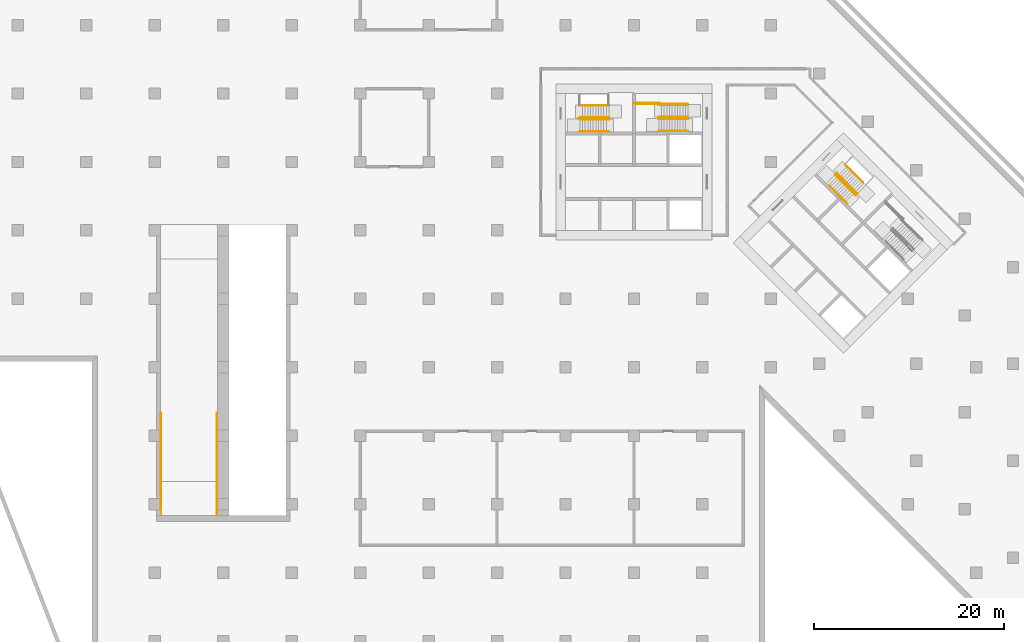
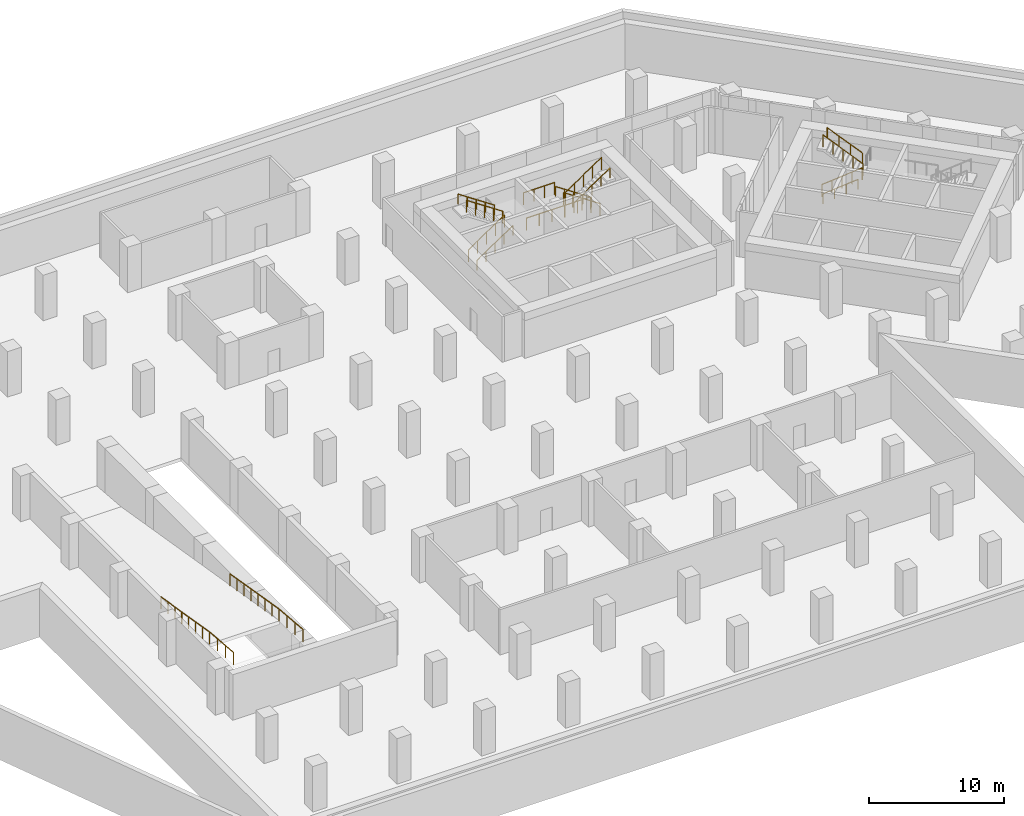
# One storey, part 10 of 11: 16 railings.
"""IFC4 building model written with IfcOpenShell, lengths in metres."""

from ifc_helpers import new_model, si_unit, direction, frame, origin, origin_2d, place, context, subcontext, project, spatial, circle, extrude, material, type_object, element, save


model = new_model("IFC4")

# Units and contexts
model_context = context("Model", 3, precision=1e-05, world=origin(), true_north=direction((0.0, 1.0)))
body_context = subcontext(model_context, "Body", "Model", "MODEL_VIEW")
ifc_project = project(units=[si_unit("LENGTHUNIT", "METRE"), si_unit("AREAUNIT", "SQUARE_METRE"), si_unit("VOLUMEUNIT", "CUBIC_METRE"), si_unit("PLANEANGLEUNIT", "RADIAN"), si_unit("MASSUNIT", "GRAM", prefix="KILO")], contexts=[model_context])

# Site, building, storey
site_placement = place(None, origin())
site = spatial("IfcSite", under=ifc_project, at=site_placement, CompositionType="ELEMENT")
building_placement = place(site_placement, origin())
building = spatial("IfcBuilding", under=site, at=building_placement, Name="Windrow Commons", CompositionType="ELEMENT")
storey_placement = place(building_placement, frame((0.0, 0.0, -4.5)))
storey = spatial("IfcBuildingStorey", under=building, at=storey_placement, Name="B1", CompositionType="ELEMENT", Elevation=-4.5)

# Railings
ifc_material_1 = material(Name="Steel S355", Category="steel")
railing_type_1 = type_object("IfcRailingType", Name="CP-GUARD-1100", PredefinedType="GUARDRAIL", material=ifc_material_1)
for number, where, name in (
    (1, (15.04, 20.46, 4.495), "Ramp edge guard W B1"),
    (2, (20.96, 20.46, 4.495), "Ramp edge guard E B1"),
):
    element("IfcRailing", number, at=place(storey_placement, frame(where)), inside=storey, type_object=railing_type_1, Name=name, PredefinedType="GUARDRAIL", context=body_context, shape_type="SweptSolid", body=[
        extrude(circle(Radius=0.025, at=origin_2d()), frame((0.0, 0.0, 1.075), z_axis=(0.0, 0.9965457582, -0.0830454799), x_axis=(-1.0, 0.0, 0.0)), (0.0, 0.0, 1.0), 3.5523),
        extrude(circle(Radius=0.025, at=origin_2d()), frame((0.0, 3.54, 0.78), z_axis=(0.0, 0.9863939238, -0.1643989873), x_axis=(-1.0, 0.0, 0.0)), (0.0, 0.0, 1.0), 7.2993),
        extrude(circle(Radius=0.02, at=origin_2d()), origin(), (0.0, 0.0, 1.0), 1.05),
        extrude(circle(Radius=0.02, at=origin_2d()), frame((0.0, 1.18, -0.0983)), (0.0, 0.0, 1.0), 1.05),
        extrude(circle(Radius=0.02, at=origin_2d()), frame((0.0, 2.36, -0.1967)), (0.0, 0.0, 1.0), 1.05),
        extrude(circle(Radius=0.02, at=origin_2d()), frame((0.0, 3.54, -0.295)), (0.0, 0.0, 1.0), 1.05),
        extrude(circle(Radius=0.02, at=origin_2d()), frame((0.0, 4.5686, -0.4664)), (0.0, 0.0, 1.0), 1.05),
        extrude(circle(Radius=0.02, at=origin_2d()), frame((0.0, 5.5971, -0.6379)), (0.0, 0.0, 1.0), 1.05),
        extrude(circle(Radius=0.02, at=origin_2d()), frame((0.0, 6.6257, -0.8093)), (0.0, 0.0, 1.0), 1.05),
        extrude(circle(Radius=0.02, at=origin_2d()), frame((0.0, 7.6543, -0.9807)), (0.0, 0.0, 1.0), 1.05),
        extrude(circle(Radius=0.02, at=origin_2d()), frame((0.0, 8.6829, -1.1521)), (0.0, 0.0, 1.0), 1.05),
        extrude(circle(Radius=0.02, at=origin_2d()), frame((0.0, 9.7114, -1.3236)), (0.0, 0.0, 1.0), 1.05),
        extrude(circle(Radius=0.02, at=origin_2d()), frame((0.0, 10.74, -1.495)), (0.0, 0.0, 1.0), 1.05),
    ])
ifc_material_2 = material(Name="Steel S355", Category="steel")
railing_type_2 = type_object("IfcRailingType", Name="Core stair guard 1100", PredefinedType="GUARDRAIL", material=ifc_material_2)
railing_1_placement = place(storey_placement, frame((59.1, 62.05, 0.1875)))
element("IfcRailing", 3, at=railing_1_placement, inside=storey, type_object=railing_type_2, Name="B1 ST-A1 stair guard 1", PredefinedType="GUARDRAIL", context=body_context, shape_type="SweptSolid", body=[
    extrude(circle(Radius=0.024, at=origin_2d()), frame((0.0, 0.0, 1.076), z_axis=(0.830907177, 0.0, 0.556411056), x_axis=(0.0, 1.0, 0.0)), (0.0, 0.0, 1.0), 3.7068),
    extrude(circle(Radius=0.021, at=origin_2d()), origin(), (0.0, 0.0, 1.0), 1.052),
    extrude(circle(Radius=0.021, at=origin_2d()), frame((0.77, 0.0, 0.5156)), (0.0, 0.0, 1.0), 1.052),
    extrude(circle(Radius=0.021, at=origin_2d()), frame((1.54, 0.0, 1.0312)), (0.0, 0.0, 1.0), 1.052),
    extrude(circle(Radius=0.021, at=origin_2d()), frame((2.31, 0.0, 1.5469)), (0.0, 0.0, 1.0), 1.052),
    extrude(circle(Radius=0.021, at=origin_2d()), frame((3.08, 0.0, 2.0625)), (0.0, 0.0, 1.0), 1.052),
])
for number, where, name in (
    (4, (62.18, 62.3, 2.4375), "B1 ST-A1 stair guard 2"),
    (5, (70.5, 62.355, 0.1875), "B1 ST-A2 stair guard 1"),
):
    element("IfcRailing", number, at=place(storey_placement, frame(where)), inside=storey, type_object=railing_type_2, Name=name, PredefinedType="GUARDRAIL", context=body_context, shape_type="SweptSolid", body=[
        extrude(circle(Radius=0.024, at=origin_2d()), frame((0.0, 0.0, 1.076), z_axis=(-0.830907177, 0.0, 0.556411056), x_axis=(0.0, -1.0, 0.0)), (0.0, 0.0, 1.0), 3.7068),
        extrude(circle(Radius=0.021, at=origin_2d()), origin(), (0.0, 0.0, 1.0), 1.052),
        extrude(circle(Radius=0.021, at=origin_2d()), frame((-0.77, 0.0, 0.5156)), (0.0, 0.0, 1.0), 1.052),
        extrude(circle(Radius=0.021, at=origin_2d()), frame((-1.54, 0.0, 1.0312)), (0.0, 0.0, 1.0), 1.052),
        extrude(circle(Radius=0.021, at=origin_2d()), frame((-2.31, 0.0, 1.5469)), (0.0, 0.0, 1.0), 1.052),
        extrude(circle(Radius=0.021, at=origin_2d()), frame((-3.08, 0.0, 2.0625)), (0.0, 0.0, 1.0), 1.052),
    ])
railing_2_placement = place(storey_placement, frame((67.42, 62.105, 2.4375)))
element("IfcRailing", 6, at=railing_2_placement, inside=storey, type_object=railing_type_2, Name="B1 ST-A2 stair guard 2", PredefinedType="GUARDRAIL", context=body_context, shape_type="SweptSolid", body=[
    extrude(circle(Radius=0.024, at=origin_2d()), frame((0.0, 0.0, 1.076), z_axis=(0.830907177, 0.0, 0.556411056), x_axis=(0.0, 1.0, 0.0)), (0.0, 0.0, 1.0), 3.7068),
    extrude(circle(Radius=0.021, at=origin_2d()), origin(), (0.0, 0.0, 1.0), 1.052),
    extrude(circle(Radius=0.021, at=origin_2d()), frame((0.77, 0.0, 0.5156)), (0.0, 0.0, 1.0), 1.052),
    extrude(circle(Radius=0.021, at=origin_2d()), frame((1.54, 0.0, 1.0312)), (0.0, 0.0, 1.0), 1.052),
    extrude(circle(Radius=0.021, at=origin_2d()), frame((2.31, 0.0, 1.5469)), (0.0, 0.0, 1.0), 1.052),
    extrude(circle(Radius=0.021, at=origin_2d()), frame((3.08, 0.0, 2.0625)), (0.0, 0.0, 1.0), 1.052),
])
railing_3_placement = place(storey_placement, frame((70.45, 63.675, 0.0)))
element("IfcRailing", 7, at=railing_3_placement, inside=storey, type_object=railing_type_2, Name="B1 ST-A2 stair guard 3", PredefinedType="GUARDRAIL", context=body_context, shape_type="SweptSolid", body=[
    extrude(circle(Radius=0.024, at=origin_2d()), frame((0.0, 0.0, 1.076), z_axis=(-1.0, 0.0, 0.0), x_axis=(0.0, -1.0, 0.0)), (0.0, 0.0, 1.0), 5.45),
    extrude(circle(Radius=0.021, at=origin_2d()), origin(), (0.0, 0.0, 1.0), 1.052),
    extrude(circle(Radius=0.021, at=origin_2d()), frame((-1.09, 0.0, 0.0)), (0.0, 0.0, 1.0), 1.052),
    extrude(circle(Radius=0.021, at=origin_2d()), frame((-2.18, 0.0, 0.0)), (0.0, 0.0, 1.0), 1.052),
    extrude(circle(Radius=0.021, at=origin_2d()), frame((-3.27, 0.0, 0.0)), (0.0, 0.0, 1.0), 1.052),
    extrude(circle(Radius=0.021, at=origin_2d()), frame((-4.36, 0.0, 0.0)), (0.0, 0.0, 1.0), 1.052),
    extrude(circle(Radius=0.021, at=origin_2d()), frame((-5.45, 0.0, 0.0)), (0.0, 0.0, 1.0), 1.052),
])
railing_4_placement = place(storey_placement, frame((67.49, 63.825, 2.25)))
element("IfcRailing", 8, at=railing_4_placement, inside=storey, type_object=railing_type_2, Name="B1 ST-A2 stair guard 4", PredefinedType="GUARDRAIL", context=body_context, shape_type="SweptSolid", body=[
    extrude(circle(Radius=0.024, at=origin_2d()), frame((0.0, 0.0, 1.076), z_axis=(-1.0, 0.0, 0.0), x_axis=(0.0, -1.0, 0.0)), (0.0, 0.0, 1.0), 2.64),
    extrude(circle(Radius=0.021, at=origin_2d()), origin(), (0.0, 0.0, 1.0), 1.052),
    extrude(circle(Radius=0.021, at=origin_2d()), frame((-0.88, 0.0, 0.0)), (0.0, 0.0, 1.0), 1.052),
    extrude(circle(Radius=0.021, at=origin_2d()), frame((-1.76, 0.0, 0.0)), (0.0, 0.0, 1.0), 1.052),
    extrude(circle(Radius=0.021, at=origin_2d()), frame((-2.64, 0.0, 0.0)), (0.0, 0.0, 1.0), 1.052),
])
railing_5_placement = place(storey_placement, frame((85.9529, 56.2669, 0.1875)))
element("IfcRailing", 9, at=railing_5_placement, inside=storey, type_object=railing_type_2, Name="B1 ST-B1 stair guard 1", PredefinedType="GUARDRAIL", context=body_context, shape_type="SweptSolid", body=[
    extrude(circle(Radius=0.024, at=origin_2d()), frame((0.0, 0.0, 1.076), z_axis=(0.5875410276, -0.5875410276, 0.5564090957), x_axis=(0.7071067812, 0.7071067812, 0.0)), (0.0, 0.0, 1.0), 3.7068),
    extrude(circle(Radius=0.021, at=origin_2d()), origin(), (0.0, 0.0, 1.0), 1.052),
    extrude(circle(Radius=0.021, at=origin_2d()), frame((0.5445, -0.5445, 0.5156)), (0.0, 0.0, 1.0), 1.052),
    extrude(circle(Radius=0.021, at=origin_2d()), frame((1.0889, -1.089, 1.0312)), (0.0, 0.0, 1.0), 1.052),
    extrude(circle(Radius=0.021, at=origin_2d()), frame((1.6334, -1.6334, 1.5469)), (0.0, 0.0, 1.0), 1.052),
    extrude(circle(Radius=0.021, at=origin_2d()), frame((2.1779, -2.1779, 2.0625)), (0.0, 0.0, 1.0), 1.052),
])
railing_6_placement = place(storey_placement, frame((88.3075, 54.2658, 2.4375)))
element("IfcRailing", 10, at=railing_6_placement, inside=storey, type_object=railing_type_2, Name="B1 ST-B1 stair guard 2", PredefinedType="GUARDRAIL", context=body_context, shape_type="SweptSolid", body=[
    extrude(circle(Radius=0.024, at=origin_2d()), frame((0.0, 0.0, 1.076), z_axis=(-0.5875410276, 0.5875410276, 0.5564090957), x_axis=(-0.7071067812, -0.7071067812, 0.0)), (0.0, 0.0, 1.0), 3.7068),
    extrude(circle(Radius=0.021, at=origin_2d()), origin(), (0.0, 0.0, 1.0), 1.052),
    extrude(circle(Radius=0.021, at=origin_2d()), frame((-0.5445, 0.5445, 0.5156)), (0.0, 0.0, 1.0), 1.052),
    extrude(circle(Radius=0.021, at=origin_2d()), frame((-1.089, 1.089, 1.0312)), (0.0, 0.0, 1.0), 1.052),
    extrude(circle(Radius=0.021, at=origin_2d()), frame((-1.6334, 1.6334, 1.5469)), (0.0, 0.0, 1.0), 1.052),
    extrude(circle(Radius=0.021, at=origin_2d()), frame((-2.1779, 2.1779, 2.0625)), (0.0, 0.0, 1.0), 1.052),
])
ifc_material_3 = material(Name="Steel S355", Category="steel")
railing_type_3 = type_object("IfcRailingType", Name="Core stair handrail 900", PredefinedType="HANDRAIL", material=ifc_material_3)
railing_7_placement = place(storey_placement, frame((59.1, 60.8, 0.1875)))
element("IfcRailing", 11, at=railing_7_placement, inside=storey, type_object=railing_type_3, Name="B1 ST-A1 stair handrail 1", PredefinedType="HANDRAIL", context=body_context, shape_type="SweptSolid", body=[
    extrude(circle(Radius=0.024, at=origin_2d()), frame((0.0, 0.0, 0.876), z_axis=(0.830907177, 0.0, 0.556411056), x_axis=(0.0, 1.0, 0.0)), (0.0, 0.0, 1.0), 3.7068),
    extrude(circle(Radius=0.021, at=origin_2d()), origin(), (0.0, 0.0, 1.0), 0.852),
    extrude(circle(Radius=0.021, at=origin_2d()), frame((0.77, 0.0, 0.5156)), (0.0, 0.0, 1.0), 0.852),
    extrude(circle(Radius=0.021, at=origin_2d()), frame((1.54, 0.0, 1.0312)), (0.0, 0.0, 1.0), 0.852),
    extrude(circle(Radius=0.021, at=origin_2d()), frame((2.31, 0.0, 1.5469)), (0.0, 0.0, 1.0), 0.852),
    extrude(circle(Radius=0.021, at=origin_2d()), frame((3.08, 0.0, 2.0625)), (0.0, 0.0, 1.0), 0.852),
])
for number, where, name in (
    (12, (62.18, 63.55, 2.4375), "B1 ST-A1 stair handrail 2"),
    (13, (70.5, 63.605, 0.1875), "B1 ST-A2 stair handrail 1"),
):
    element("IfcRailing", number, at=place(storey_placement, frame(where)), inside=storey, type_object=railing_type_3, Name=name, PredefinedType="HANDRAIL", context=body_context, shape_type="SweptSolid", body=[
        extrude(circle(Radius=0.024, at=origin_2d()), frame((0.0, 0.0, 0.876), z_axis=(-0.830907177, 0.0, 0.556411056), x_axis=(0.0, -1.0, 0.0)), (0.0, 0.0, 1.0), 3.7068),
        extrude(circle(Radius=0.021, at=origin_2d()), origin(), (0.0, 0.0, 1.0), 0.852),
        extrude(circle(Radius=0.021, at=origin_2d()), frame((-0.77, 0.0, 0.5156)), (0.0, 0.0, 1.0), 0.852),
        extrude(circle(Radius=0.021, at=origin_2d()), frame((-1.54, 0.0, 1.0312)), (0.0, 0.0, 1.0), 0.852),
        extrude(circle(Radius=0.021, at=origin_2d()), frame((-2.31, 0.0, 1.5469)), (0.0, 0.0, 1.0), 0.852),
        extrude(circle(Radius=0.021, at=origin_2d()), frame((-3.08, 0.0, 2.0625)), (0.0, 0.0, 1.0), 0.852),
    ])
railing_8_placement = place(storey_placement, frame((67.42, 60.855, 2.4375)))
element("IfcRailing", 14, at=railing_8_placement, inside=storey, type_object=railing_type_3, Name="B1 ST-A2 stair handrail 2", PredefinedType="HANDRAIL", context=body_context, shape_type="SweptSolid", body=[
    extrude(circle(Radius=0.024, at=origin_2d()), frame((0.0, 0.0, 0.876), z_axis=(0.830907177, 0.0, 0.556411056), x_axis=(0.0, 1.0, 0.0)), (0.0, 0.0, 1.0), 3.7068),
    extrude(circle(Radius=0.021, at=origin_2d()), origin(), (0.0, 0.0, 1.0), 0.852),
    extrude(circle(Radius=0.021, at=origin_2d()), frame((0.77, 0.0, 0.5156)), (0.0, 0.0, 1.0), 0.852),
    extrude(circle(Radius=0.021, at=origin_2d()), frame((1.54, 0.0, 1.0312)), (0.0, 0.0, 1.0), 0.852),
    extrude(circle(Radius=0.021, at=origin_2d()), frame((2.31, 0.0, 1.5469)), (0.0, 0.0, 1.0), 0.852),
    extrude(circle(Radius=0.021, at=origin_2d()), frame((3.08, 0.0, 2.0625)), (0.0, 0.0, 1.0), 0.852),
])
railing_9_placement = place(storey_placement, frame((85.3518, 55.1001, 0.4554)))
element("IfcRailing", 15, at=railing_9_placement, inside=storey, type_object=railing_type_3, Name="B1 ST-B1 stair handrail 1", PredefinedType="HANDRAIL", context=body_context, shape_type="SweptSolid", body=[
    extrude(circle(Radius=0.024, at=origin_2d()), frame((0.0, 0.0, 0.876), z_axis=(0.5875603124, -0.5875293083, 0.5564011064), x_axis=(0.7070881243, 0.7071254376, 0.0)), (0.0, 0.0, 1.0), 3.2254),
    extrude(circle(Radius=0.021, at=origin_2d()), origin(), (0.0, 0.0, 1.0), 0.852),
    extrude(circle(Radius=0.021, at=origin_2d()), frame((0.6317, -0.6317, 0.5982)), (0.0, 0.0, 1.0), 0.852),
    extrude(circle(Radius=0.021, at=origin_2d()), frame((1.2634, -1.2633, 1.1964)), (0.0, 0.0, 1.0), 0.852),
    extrude(circle(Radius=0.021, at=origin_2d()), frame((1.8951, -1.895, 1.7946)), (0.0, 0.0, 1.0), 0.852),
])
railing_10_placement = place(storey_placement, frame((88.9086, 55.4325, 2.7054)))
element("IfcRailing", 16, at=railing_10_placement, inside=storey, type_object=railing_type_3, Name="B1 ST-B1 stair handrail 2", PredefinedType="HANDRAIL", context=body_context, shape_type="SweptSolid", body=[
    extrude(circle(Radius=0.024, at=origin_2d()), frame((0.0, 0.0, 0.876), z_axis=(-0.5875603124, 0.5875293083, 0.5564011064), x_axis=(-0.7070881243, -0.7071254376, 0.0)), (0.0, 0.0, 1.0), 3.2254),
    extrude(circle(Radius=0.021, at=origin_2d()), origin(), (0.0, 0.0, 1.0), 0.852),
    extrude(circle(Radius=0.021, at=origin_2d()), frame((-0.6317, 0.6317, 0.5982)), (0.0, 0.0, 1.0), 0.852),
    extrude(circle(Radius=0.021, at=origin_2d()), frame((-1.2634, 1.2633, 1.1964)), (0.0, 0.0, 1.0), 0.852),
    extrude(circle(Radius=0.021, at=origin_2d()), frame((-1.8951, 1.895, 1.7946)), (0.0, 0.0, 1.0), 0.852),
])

save(model, "model.ifc")
